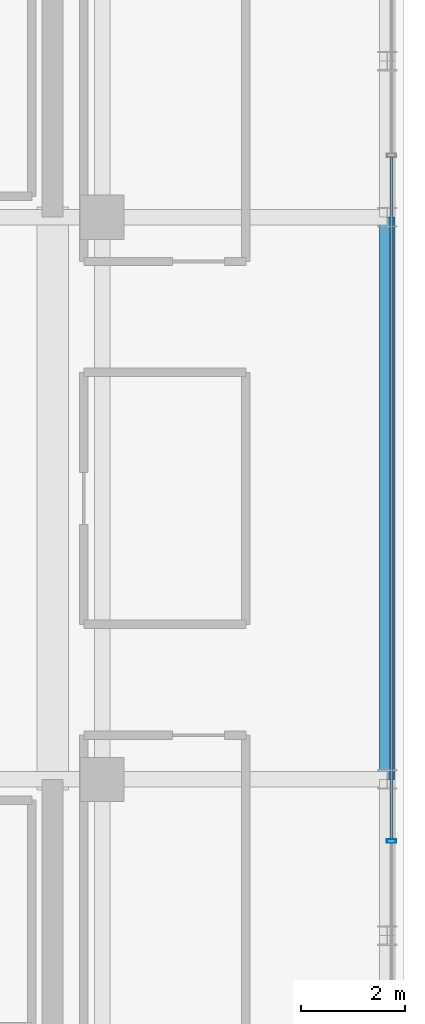
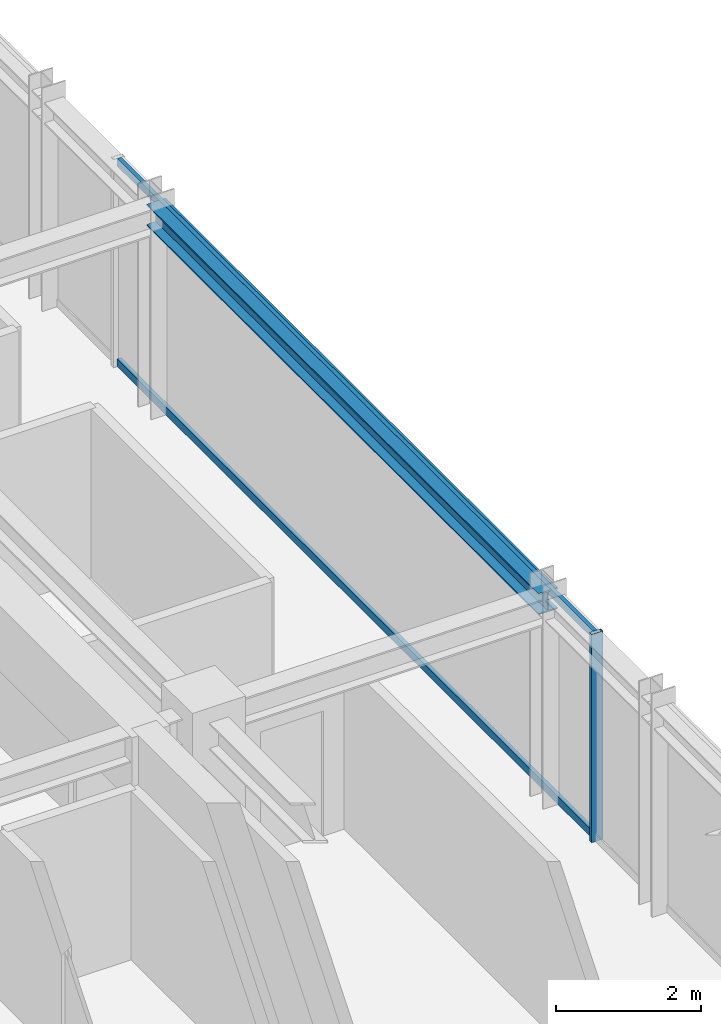
# One storey, part 16 of 31: 3 members, 1 beam, 1 element without a shape of its own.
"""IFC4 building model written with IfcOpenShell, lengths in metres."""

from ifc_helpers import new_model, si_unit, direction, frame, origin, origin_2d, place, context, subcontext, project, spatial, hollow_rectangle, i_section, extrude, source, transform, mapped, material, material_profile, profile_set, type_object, element, aggregate, save


model = new_model("IFC4")

# Units and contexts
model_context = context("Model", 3, precision=1e-05, world=origin(), true_north=direction((0.0, 1.0)))
body_context = subcontext(model_context, "Body", "Model", "MODEL_VIEW")
ifc_project = project(units=[si_unit("LENGTHUNIT", "METRE"), si_unit("AREAUNIT", "SQUARE_METRE"), si_unit("VOLUMEUNIT", "CUBIC_METRE"), si_unit("PLANEANGLEUNIT", "RADIAN"), si_unit("MASSUNIT", "GRAM", prefix="KILO")], contexts=[model_context])

# Site, building, storey
site_placement = place(None, origin())
site = spatial("IfcSite", under=ifc_project, at=site_placement, CompositionType="ELEMENT")
building_placement = place(site_placement, origin())
building = spatial("IfcBuilding", under=site, at=building_placement, Name="Nahalor Promenade Grand Hotel", CompositionType="ELEMENT")
storey_placement = place(building_placement, frame((0.0, 0.0, 323.35009765625)))
storey = spatial("IfcBuildingStorey", under=building, at=storey_placement, Name="L83", CompositionType="ELEMENT", Elevation=323.35009765625)

# Beam
ifc_material_1 = material(Name="Steel S355JR", Category="steel")
ifc_material_profile_1 = material_profile(ifc_material_1, i_section(OverallWidth=0.3, OverallDepth=0.36, WebThickness=0.0125, FlangeThickness=0.0225, at=origin_2d()), Name="HEB 360")
ifc_profile_set_1 = profile_set([ifc_material_profile_1], Name="Steel S355JR")
beam_type = type_object("IfcBeamType", Name="Beam-Spandrel-HEB360", PredefinedType="SPANDREL", material=ifc_profile_set_1)
shared_shape_1 = source(origin(), body_context, "Body", "SweptSolid", [
    extrude(i_section(OverallWidth=0.3, OverallDepth=0.36, WebThickness=0.0125, FlangeThickness=0.0225, at=origin_2d()), origin(), (0.0, 0.0, 1.0), 10.7998046875),
])
beam_placement = place(storey_placement, frame((22.47998046875, -5.39990234375, 3.31982421875), z_axis=(0.0, 1.0, 0.0), x_axis=(-1.0, 0.0, 0.0)))
element("IfcBeam", 1, at=beam_placement, inside=storey, type_object=beam_type, Name="BM-L83-SP-E-2", PredefinedType="SPANDREL", context=body_context, shape_type="MappedRepresentation", body=[
    mapped(shared_shape_1, transform((0.0, 0.0, 0.0), scale=1.0)),
])

# Curtain wall, members
ifc_material_2 = material(Name="Anodised Bronze Aluminium EN AW-6063 T6", Category="aluminium")
curtain_wall_type = type_object("IfcCurtainWallType", Name="CW2 Typical Hotel Flush Bronze Unitised Curtain Wall", PredefinedType="USERDEFINED", material=ifc_material_2)
curtain_wall_placement = place(storey_placement, origin())
curtain_wall = element("IfcCurtainWall", 2, at=curtain_wall_placement, inside=storey, type_object=curtain_wall_type, Name="L83 Curtain Wall CW-L83-E-1", ObjectType="UNITISED_CURTAIN_WALL", PredefinedType="USERDEFINED")
ifc_material_profile_2 = material_profile(ifc_material_2, hollow_rectangle(XDim=0.065, YDim=0.13, WallThickness=0.004, at=origin_2d()), Name="CWT 65x130x4")
ifc_profile_set_2 = profile_set([ifc_material_profile_2], Name="Anodised Bronze Aluminium EN AW-6063 T6")
member_type_1 = type_object("IfcMemberType", Name="CWT2 Typical Bronze Transom 65x130", PredefinedType="USERDEFINED", material=ifc_profile_set_2)
shared_shape_2 = source(origin(), body_context, "Body", "SweptSolid", [
    extrude(hollow_rectangle(XDim=0.065, YDim=0.13, WallThickness=0.004, at=origin_2d()), origin(), (0.0, 0.0, 1.0), 13.1083984375),
])
member_1_placement = place(storey_placement, frame((22.56005859375, -6.55419921875, 0.06494140625), z_axis=(0.0, 1.0, 0.0), x_axis=(-1.0, 0.0, 0.0)))
member_1 = element("IfcMember", 3, at=member_1_placement, type_object=member_type_1, Name="CW-L83-E-1 Transom 1-0", ObjectType="TRANSOM", PredefinedType="USERDEFINED", context=body_context, shape_type="MappedRepresentation", body=[
    mapped(shared_shape_2, transform((0.0, 0.0, 0.0), scale=1.0)),
])
member_2_placement = place(storey_placement, frame((22.56005859375, -6.55419921875, 3.434814453125), z_axis=(0.0, 1.0, 0.0), x_axis=(-1.0, 0.0, 0.0)))
member_2 = element("IfcMember", 4, at=member_2_placement, type_object=member_type_1, Name="CW-L83-E-1 Transom 1-1", ObjectType="TRANSOM", PredefinedType="USERDEFINED", context=body_context, shape_type="MappedRepresentation", body=[
    mapped(shared_shape_2, transform((0.0, 0.0, 0.0), scale=1.0)),
])
ifc_material_profile_3 = material_profile(ifc_material_2, hollow_rectangle(XDim=0.065, YDim=0.18, WallThickness=0.004, at=origin_2d()), Name="CWM 65x180x4")
ifc_profile_set_3 = profile_set([ifc_material_profile_3], Name="Anodised Bronze Aluminium EN AW-6063 T6")
member_type_2 = type_object("IfcMemberType", Name="CWM2 Typical Bronze Mullion 65x180", PredefinedType="MULLION", material=ifc_profile_set_3)
shared_shape_3 = source(origin(), body_context, "Body", "SweptSolid", [
    extrude(hollow_rectangle(XDim=0.065, YDim=0.18, WallThickness=0.004, at=origin_2d()), origin(), (0.0, 0.0, 1.0), 3.5),
])
member_3_placement = place(storey_placement, frame((22.56005859375, -6.586669921875, 0.0), z_axis=(0.0, 0.0, 1.0), x_axis=(0.0, 1.0, 0.0)))
member_3 = element("IfcMember", 5, at=member_3_placement, type_object=member_type_2, Name="CW-L83-E-1 Mullion 1", PredefinedType="MULLION", context=body_context, shape_type="MappedRepresentation", body=[
    mapped(shared_shape_3, transform((0.0, 0.0, 0.0), scale=1.0)),
])
aggregate(curtain_wall, [member_3, member_1, member_2])

save(model, "model.ifc")
